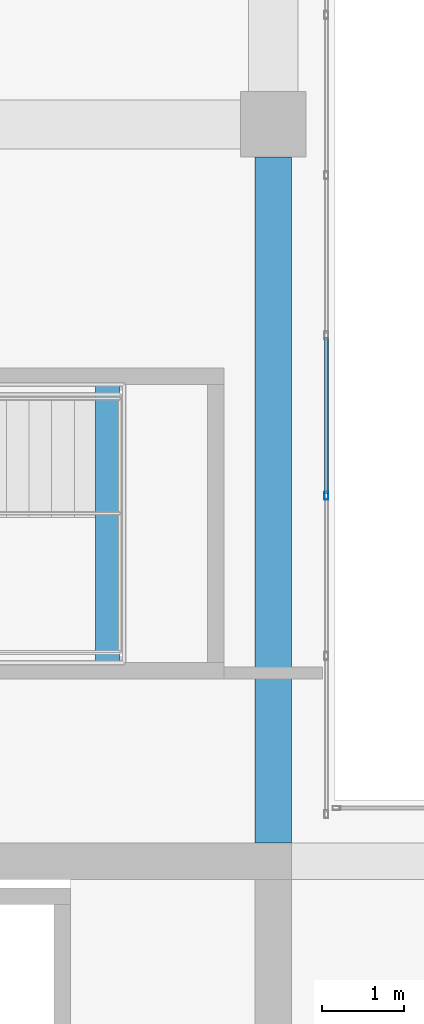
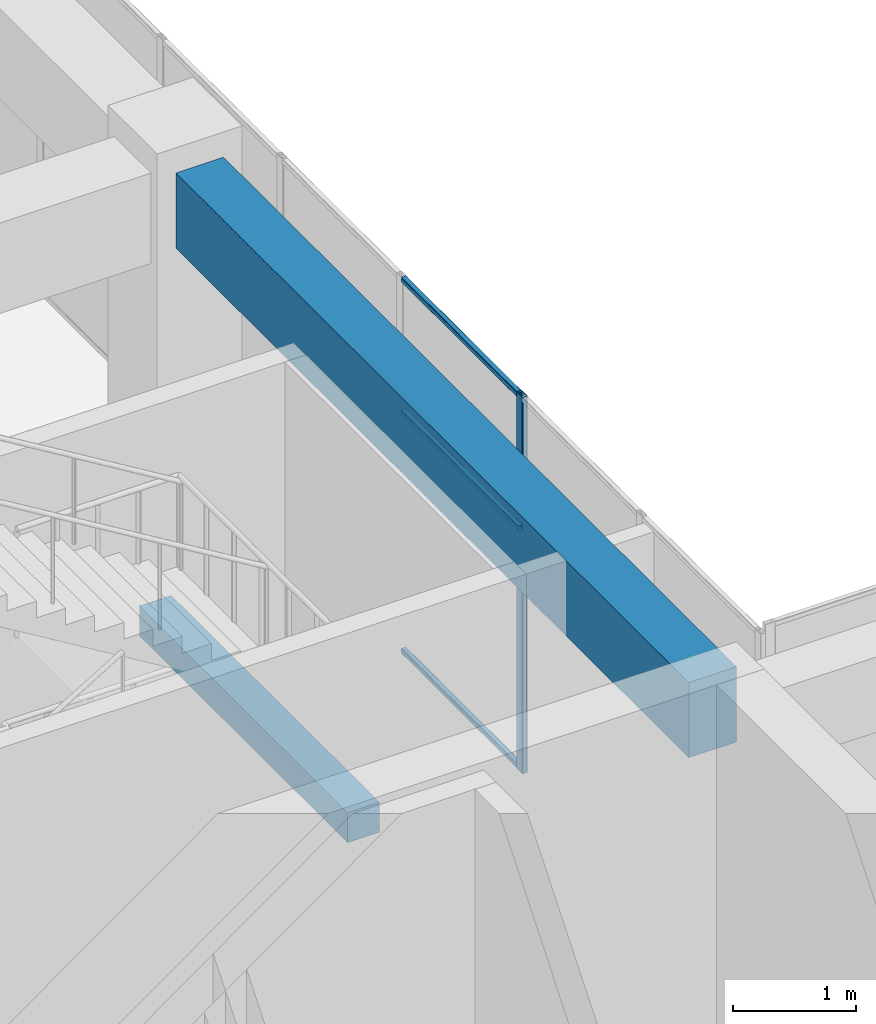
# One storey, part 31 of 55: 4 members, 2 beams, 1 element without a shape of its own.
"""IFC4 building model written with IfcOpenShell, lengths in metres."""

from ifc_helpers import new_model, si_unit, direction, frame, origin, origin_2d, place, context, subcontext, project, spatial, rectangle, hollow_rectangle, extrude, material, layer, layer_set, material_profile, profile_set, type_object, element, aggregate, save


model = new_model("IFC4")

# Units and contexts
model_context = context("Model", 3, precision=1e-05, world=origin(), true_north=direction((0.0, 1.0)))
body_context = subcontext(model_context, "Body", "Model", "MODEL_VIEW")
ifc_project = project(units=[si_unit("LENGTHUNIT", "METRE"), si_unit("AREAUNIT", "SQUARE_METRE"), si_unit("VOLUMEUNIT", "CUBIC_METRE"), si_unit("PLANEANGLEUNIT", "RADIAN"), si_unit("MASSUNIT", "GRAM", prefix="KILO")], contexts=[model_context])

# Site, building, storey
site_placement = place(None, origin())
site = spatial("IfcSite", under=ifc_project, at=site_placement, CompositionType="ELEMENT")
building_placement = place(site_placement, origin())
building = spatial("IfcBuilding", under=site, at=building_placement, Name="Tuart Plaza Theatre", CompositionType="ELEMENT")
storey_placement = place(building_placement, frame((0.0, 0.0, 21.5)))
storey = spatial("IfcBuildingStorey", under=building, at=storey_placement, Name="L05", CompositionType="ELEMENT", Elevation=21.5)

# Beams
ifc_material_1 = material(Name="Concrete N40 (40 MPa)", Category="concrete")
ifc_material_profile_1 = material_profile(ifc_material_1, rectangle(XDim=0.300048828125, YDim=0.300048828125, at=origin_2d()), Name="BEAM 300x300 Concrete N40 (40 MPa)")
ifc_profile_set_1 = profile_set([ifc_material_profile_1], Name="Concrete N40 (40 MPa)")
beam_type_1 = type_object("IfcBeamType", Name="BEAM 300x300 Concrete N40 (40 MPa)", PredefinedType="BEAM", material=ifc_profile_set_1)
beam_1_placement = place(storey_placement, frame((138.97998046875, 85.425048828125, 1.64990234375), z_axis=(0.0, 1.0, 0.0), x_axis=(-1.0, 0.0, 0.0)))
element("IfcBeam", 1, at=beam_1_placement, inside=storey, type_object=beam_type_1, Name="RB517", PredefinedType="BEAM", context=body_context, shape_type="SweptSolid", body=[
    extrude(rectangle(XDim=0.300048828125, YDim=0.300048828125, at=origin_2d()), origin(), (0.0, 0.0, 1.0), 3.39990234375),
])
ifc_material_2 = material(Name="Concrete N40 (40 MPa)", Category="concrete")
ifc_material_profile_2 = material_profile(ifc_material_2, rectangle(XDim=0.449951171875, YDim=0.75, at=origin_2d()), Name="BEAM 450x750 Concrete N40 (40 MPa)")
ifc_profile_set_2 = profile_set([ifc_material_profile_2], Name="Concrete N40 (40 MPa)")
beam_type_2 = type_object("IfcBeamType", Name="BEAM 450x750 Concrete N40 (40 MPa)", PredefinedType="BEAM", material=ifc_profile_set_2)
beam_2_placement = place(storey_placement, frame((141.0, 83.22509765625, 3.375), z_axis=(0.0, 1.0, 0.0), x_axis=(-1.0, 0.0, 0.0)))
element("IfcBeam", 2, at=beam_2_placement, inside=storey, type_object=beam_type_2, Name="RB232", PredefinedType="BEAM", context=body_context, shape_type="SweptSolid", body=[
    extrude(rectangle(XDim=0.449951171875, YDim=0.75, at=origin_2d()), origin(), (0.0, 0.0, 1.0), 8.375),
])

# Curtain wall, members
ifc_material_3 = material(Name="Aluminium and glass", Category="aluminium")
ifc_layer = layer(ifc_material_3, 0.10009765625)
ifc_layer_set = layer_set([ifc_layer], Name="CURTAIN WALL 2000 module")
curtain_wall_type = type_object("IfcCurtainWallType", Name="CURTAIN WALL 2000 module", PredefinedType="NOTDEFINED", material=ifc_layer_set)
curtain_wall_placement = place(storey_placement, origin())
curtain_wall = element("IfcCurtainWall", 3, at=curtain_wall_placement, inside=storey, type_object=curtain_wall_type, Name="CW81", PredefinedType="NOTDEFINED")
ifc_material_4 = material(Name="Aluminium 6063-T5", Category="aluminium")
ifc_material_profile_3 = material_profile(ifc_material_4, hollow_rectangle(XDim=0.050048828125, YDim=0.10009765625, WallThickness=0.00390625, InnerFilletRadius=0.00390625, OuterFilletRadius=0.008056640625, at=origin_2d()), Name="RHS 100x50x4")
ifc_profile_set_3 = profile_set([ifc_material_profile_3], Name="Aluminium 6063-T5")
member_type_1 = type_object("IfcMemberType", Name="MULLION RHS 100x50x4", PredefinedType="MULLION", material=ifc_profile_set_3)
member_1_placement = place(storey_placement, frame((141.64990234375, 87.46435546875, 0.0), z_axis=(0.0, 0.0, 1.0), x_axis=(-1.0, 0.0, 0.0)))
member_1 = element("IfcMember", 4, at=member_1_placement, type_object=member_type_1, Name="CW81 mullion 3", PredefinedType="MULLION", context=body_context, shape_type="SweptSolid", body=[
    extrude(hollow_rectangle(XDim=0.050048828125, YDim=0.10009765625, WallThickness=0.00390625, InnerFilletRadius=0.00390625, OuterFilletRadius=0.008056640625, at=origin_2d()), origin(), (0.0, 0.0, 1.0), 3.75),
])
ifc_material_5 = material(Name="Aluminium 6063-T5", Category="aluminium")
ifc_material_profile_4 = material_profile(ifc_material_5, hollow_rectangle(XDim=0.050048828125, YDim=0.050048828125, WallThickness=0.00390625, InnerFilletRadius=0.00390625, OuterFilletRadius=0.008056640625, at=origin_2d()), Name="RHS 50x50x4")
ifc_profile_set_4 = profile_set([ifc_material_profile_4], Name="Aluminium 6063-T5")
member_type_2 = type_object("IfcMemberType", Name="TRANSOM RHS 50x50x4", PredefinedType="USERDEFINED", material=ifc_profile_set_4)
member_2_placement = place(storey_placement, frame((141.64990234375, 87.4892578125, 0.02490234375), z_axis=(0.0, 1.0, 0.0), x_axis=(-1.0, 0.0, 0.0)))
member_2 = element("IfcMember", 5, at=member_2_placement, type_object=member_type_2, Name="CW81 transom 3.1", ObjectType="TRANSOM", PredefinedType="USERDEFINED", context=body_context, shape_type="SweptSolid", body=[
    extrude(hollow_rectangle(XDim=0.050048828125, YDim=0.050048828125, WallThickness=0.00390625, InnerFilletRadius=0.00390625, OuterFilletRadius=0.008056640625, at=origin_2d()), origin(), (0.0, 0.0, 1.0), 1.9072265625),
])
member_3_placement = place(storey_placement, frame((141.64990234375, 87.4892578125, 2.39990234375), z_axis=(0.0, 1.0, 0.0), x_axis=(-1.0, 0.0, 0.0)))
member_3 = element("IfcMember", 6, at=member_3_placement, type_object=member_type_2, Name="CW81 transom 3.2", ObjectType="TRANSOM", PredefinedType="USERDEFINED", context=body_context, shape_type="SweptSolid", body=[
    extrude(hollow_rectangle(XDim=0.050048828125, YDim=0.050048828125, WallThickness=0.00390625, InnerFilletRadius=0.00390625, OuterFilletRadius=0.008056640625, at=origin_2d()), origin(), (0.0, 0.0, 1.0), 1.9072265625),
])
member_4_placement = place(storey_placement, frame((141.64990234375, 87.4892578125, 3.72509765625), z_axis=(0.0, 1.0, 0.0), x_axis=(-1.0, 0.0, 0.0)))
member_4 = element("IfcMember", 7, at=member_4_placement, type_object=member_type_2, Name="CW81 transom 3.3", ObjectType="TRANSOM", PredefinedType="USERDEFINED", context=body_context, shape_type="SweptSolid", body=[
    extrude(hollow_rectangle(XDim=0.050048828125, YDim=0.050048828125, WallThickness=0.00390625, InnerFilletRadius=0.00390625, OuterFilletRadius=0.008056640625, at=origin_2d()), origin(), (0.0, 0.0, 1.0), 1.9072265625),
])
aggregate(curtain_wall, [member_1, member_2, member_3, member_4])

save(model, "model.ifc")
